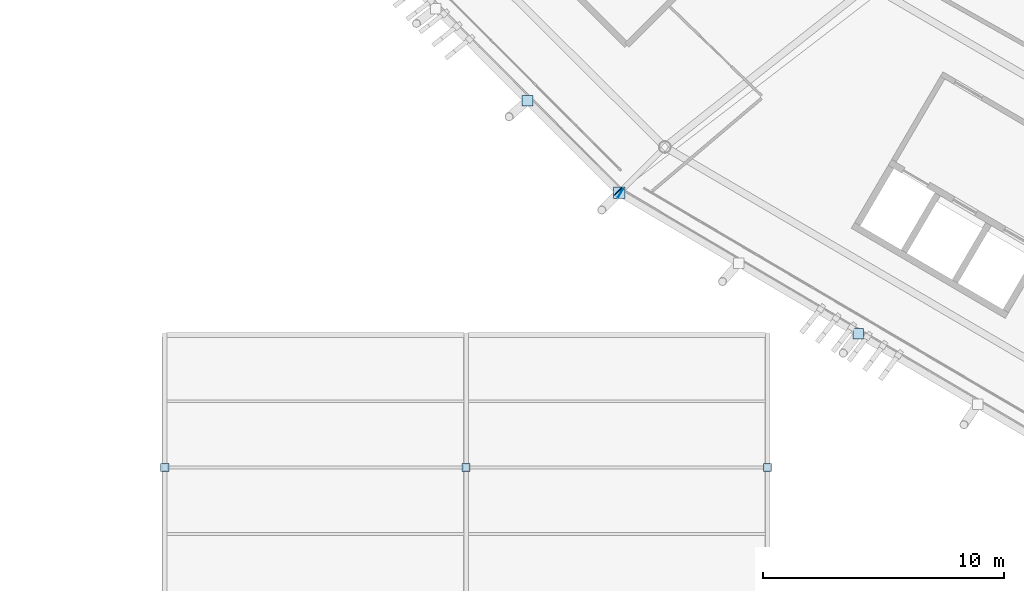
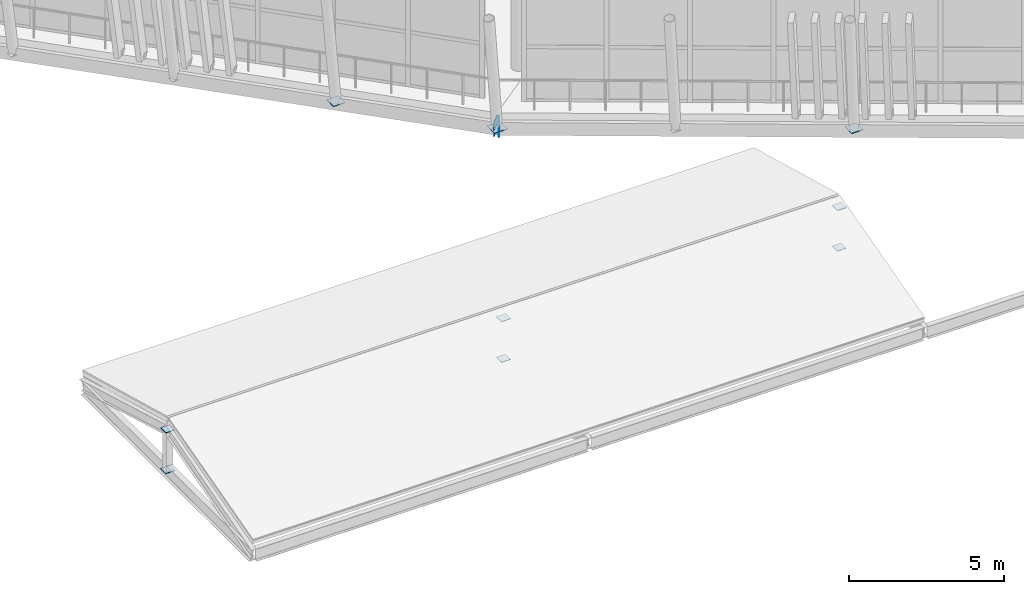
# One storey, part 103 of 179: 11 plates.
"""IFC4 building model written with IfcOpenShell, lengths in metres."""

from ifc_helpers import new_model, si_unit, direction, frame, origin, origin_2d, place, context, subcontext, project, spatial, rectangle, extrude, material, layer, layer_set, type_object, element, save


model = new_model("IFC4")

# Units and contexts
model_context = context("Model", 3, precision=1e-05, world=origin(), true_north=direction((0.0, 1.0)))
body_context = subcontext(model_context, "Body", "Model", "MODEL_VIEW")
ifc_project = project(units=[si_unit("LENGTHUNIT", "METRE"), si_unit("AREAUNIT", "SQUARE_METRE"), si_unit("VOLUMEUNIT", "CUBIC_METRE"), si_unit("PLANEANGLEUNIT", "RADIAN"), si_unit("MASSUNIT", "GRAM", prefix="KILO")], contexts=[model_context])

# Site, building, storey
site_placement = place(None, origin())
site = spatial("IfcSite", under=ifc_project, at=site_placement, CompositionType="ELEMENT")
building_placement = place(site_placement, origin())
building = spatial("IfcBuilding", under=site, at=building_placement, Name="Zlatoyarsky Gate Stadium", CompositionType="ELEMENT")
storey_placement = place(building_placement, frame((0.0, 0.0, 10.60009765625)))
storey = spatial("IfcBuildingStorey", under=building, at=storey_placement, Name="L02", CompositionType="ELEMENT", Elevation=10.60009765625)

# Plates
ifc_material = material(Name="Steel S355", Category="steel")
ifc_layer = layer(ifc_material, 0.02392578125)
ifc_layer_set = layer_set([ifc_layer], Name="Steel S355")
plate_type = type_object("IfcPlateType", Name="STEEL HOLLOW CHORD SPLICE SHEET 24", PredefinedType="SHEET", material=ifc_layer_set)
for number, where, z_axis, x_axis, name in (
    (1, (43.304443359375, 27.94580078125, -0.830078125), (0.0, 0.0, 1.0), (0.705849920208, -0.708361412093, 0.0), "Hollow end cap ND-SP1 CAP-L02-SPD-14 B"),
    (2, (43.398681640625, 27.872802734375, -0.830078125), (0.0, 0.0, 1.0), (0.86093457238, -0.508715698678, 0.0), "Hollow end cap ND-SP1 CAP-L02-SPD-15 A"),
):
    element("IfcPlate", number, at=place(storey_placement, frame(where, z_axis=z_axis, x_axis=x_axis)), inside=storey, type_object=plate_type, Name=name, PredefinedType="SHEET", context=body_context, shape_type="SweptSolid", body=[
        extrude(rectangle(XDim=0.02392578125, YDim=0.39990234375, at=origin_2d()), origin(), (0.0, 0.0, 1.0), 0.60009765625),
    ])
plate_placement = place(storey_placement, frame((43.346923828125, 27.9033203125, -0.592041015625), z_axis=(0.0, 0.0, 1.0), x_axis=(1.0, 0.0, 0.0)))
element("IfcPlate", 3, at=plate_placement, inside=storey, type_object=plate_type, Name="Node closure plate ND-SP1 NCAP-L02-RSTR-15", PredefinedType="SHEET", context=body_context, shape_type="SweptSolid", body=[
    extrude(rectangle(XDim=0.47998046875, YDim=0.47998046875, at=origin_2d()), origin(), (0.0, 0.0, 1.0), 0.02392578125),
])
for number, where, z_axis, x_axis, name in (
    (4, (39.545654296875, 31.718017578125, -0.5419921875), (0.0, 0.0, 1.0), (1.0, 0.0, 0.0), "Node closure plate ND-SP1 NCAP-RIB-14-3-0T"),
    (5, (53.25439453125, 22.049072265625, -0.5419921875), (0.0, 0.0, 1.0), (1.0, 0.0, 0.0), "Node closure plate ND-SP1 NCAP-RIB-15-2-0T"),
):
    element("IfcPlate", number, at=place(storey_placement, frame(where, z_axis=z_axis, x_axis=x_axis)), inside=storey, type_object=plate_type, Name=name, PredefinedType="SHEET", context=body_context, shape_type="SweptSolid", body=[
        extrude(rectangle(XDim=0.43994140625, YDim=0.43994140625, at=origin_2d()), origin(), (0.0, 0.0, 1.0), 0.02392578125),
    ])
for number, where, z_axis, x_axis, name in (
    (6, (24.5, 16.5, -0.5419921875), (0.0, 0.0, 1.0), (1.0, 0.0, 0.0), "Node closure plate ND-SP1 NCAP-KP-V6_SW-1A"),
    (7, (24.5, 16.5, 1.057861328125), (0.0, 0.0, 1.0), (1.0, 0.0, 0.0), "Node closure plate ND-SP1 NCAP-KP-V6_SW-1B"),
    (8, (37.0, 16.5, -0.5419921875), (0.0, 0.0, 1.0), (1.0, 0.0, 0.0), "Node closure plate ND-SP1 NCAP-KP-V6_SW-2A"),
    (9, (37.0, 16.5, 1.057861328125), (0.0, 0.0, 1.0), (1.0, 0.0, 0.0), "Node closure plate ND-SP1 NCAP-KP-V6_SW-2B"),
    (10, (49.5, 16.5, -0.5419921875), (0.0, 0.0, 1.0), (1.0, 0.0, 0.0), "Node closure plate ND-SP1 NCAP-KP-V6_SW-3A"),
    (11, (49.5, 16.5, 1.057861328125), (0.0, 0.0, 1.0), (1.0, 0.0, 0.0), "Node closure plate ND-SP1 NCAP-KP-V6_SW-3B"),
):
    element("IfcPlate", number, at=place(storey_placement, frame(where, z_axis=z_axis, x_axis=x_axis)), inside=storey, type_object=plate_type, Name=name, PredefinedType="SHEET", context=body_context, shape_type="SweptSolid", body=[
        extrude(rectangle(XDim=0.340087890625, YDim=0.340087890625, at=origin_2d()), origin(), (0.0, 0.0, 1.0), 0.02392578125),
    ])

save(model, "model.ifc")
